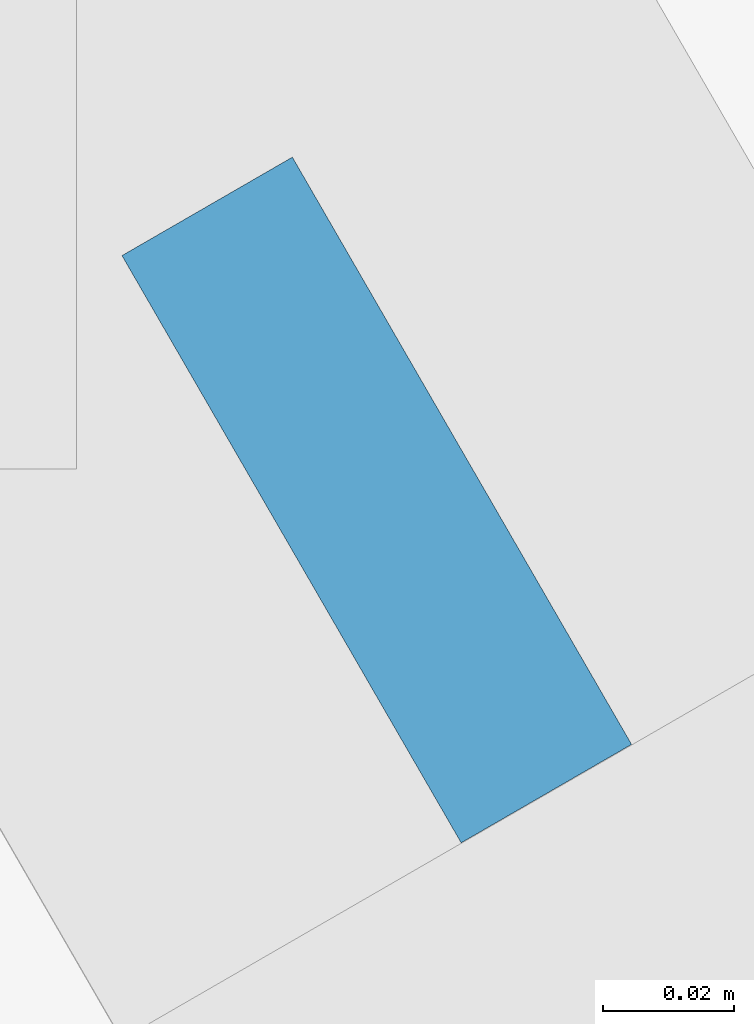
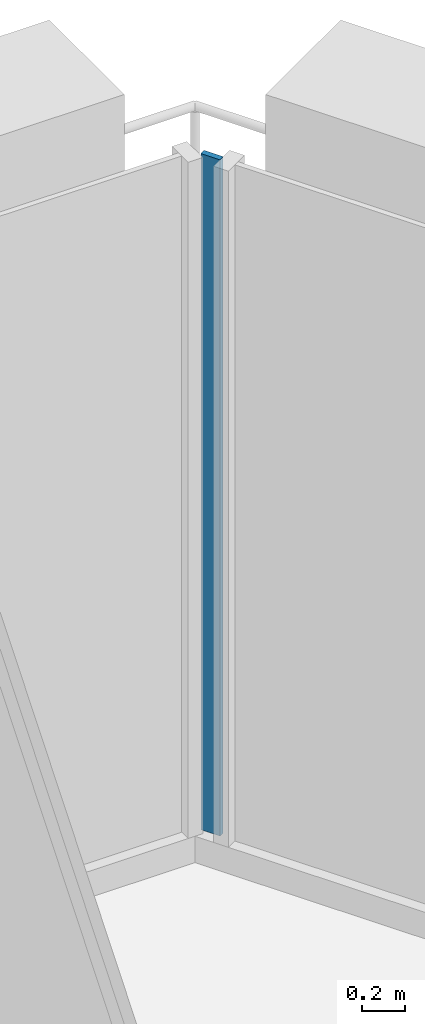
# One storey, part 17 of 26: 1 plate, 1 element without a shape of its own.
"""IFC4 building model written with IfcOpenShell, lengths in metres."""

from ifc_helpers import new_model, si_unit, direction, frame, origin, place, context, subcontext, project, spatial, polyline, outline, extrude, material, layer, layer_set, type_object, element, aggregate, save


model = new_model("IFC4")

# Units and contexts
model_context = context("Model", 3, precision=1e-05, world=origin(), true_north=direction((0.0, 1.0)))
body_context = subcontext(model_context, "Body", "Model", "MODEL_VIEW")
ifc_project = project(units=[si_unit("LENGTHUNIT", "METRE"), si_unit("AREAUNIT", "SQUARE_METRE"), si_unit("VOLUMEUNIT", "CUBIC_METRE"), si_unit("PLANEANGLEUNIT", "RADIAN"), si_unit("MASSUNIT", "GRAM", prefix="KILO")], contexts=[model_context])

# Site, building, storey
site_placement = place(None, origin())
site = spatial("IfcSite", under=ifc_project, at=site_placement, CompositionType="ELEMENT")
building_placement = place(site_placement, origin())
building = spatial("IfcBuilding", under=site, at=building_placement, Name="Firuza Gate Tower and Library", CompositionType="ELEMENT")
storey_placement = place(building_placement, frame((0.0, 0.0, 115.60009765625)))
storey = spatial("IfcBuildingStorey", under=building, at=storey_placement, Name="L26", CompositionType="ELEMENT", Elevation=115.60009765625)

# Curtain wall, plate
ifc_material_1 = material(Name="Aluminium 6063-T6", Category="aluminium")
ifc_layer_1 = layer(ifc_material_1, 0.14990234375)
ifc_layer_set_1 = layer_set([ifc_layer_1], Name="Unitised curtain wall, offices")
curtain_wall_type = type_object("IfcCurtainWallType", Name="Unitised curtain wall, offices", PredefinedType="NOTDEFINED", material=ifc_layer_set_1)
curtain_wall_placement = place(storey_placement, origin())
curtain_wall = element("IfcCurtainWall", 1, at=curtain_wall_placement, inside=storey, type_object=curtain_wall_type, Name="CW1 L26 E face", PredefinedType="NOTDEFINED")
ifc_material_2 = material(Name="Glazed ceramic tile")
ifc_layer_2 = layer(ifc_material_2, 0.030029296875)
ifc_layer_set_2 = layer_set([ifc_layer_2], Name="Opaque ceramic panel, offices")
plate_type = type_object("IfcPlateType", Name="Opaque ceramic panel, offices", PredefinedType="CURTAIN_PANEL", material=ifc_layer_set_2)
plate_placement = place(storey_placement, frame((78.72802734375, 109.270263671875, 0.14990234375), z_axis=(0.865910493709, 0.500198977292, 0.0), x_axis=(-0.500198977292, 0.865910493709, 0.0)))
plate = element("IfcPlate", 2, at=plate_placement, type_object=plate_type, Name="Opaque ceramic panel", PredefinedType="CURTAIN_PANEL", context=body_context, shape_type="SweptSolid", body=[
    extrude(outline(polyline([(0.0, 0.0), (0.10347444686944572, 0.0), (0.10347444686944572, 3.850097656250001), (0.0, 3.850097656250001), (0.0, 0.0)])), origin(), (0.0, 0.0, -1.0), 0.030029296875),
])
aggregate(curtain_wall, [plate])

save(model, "model.ifc")
